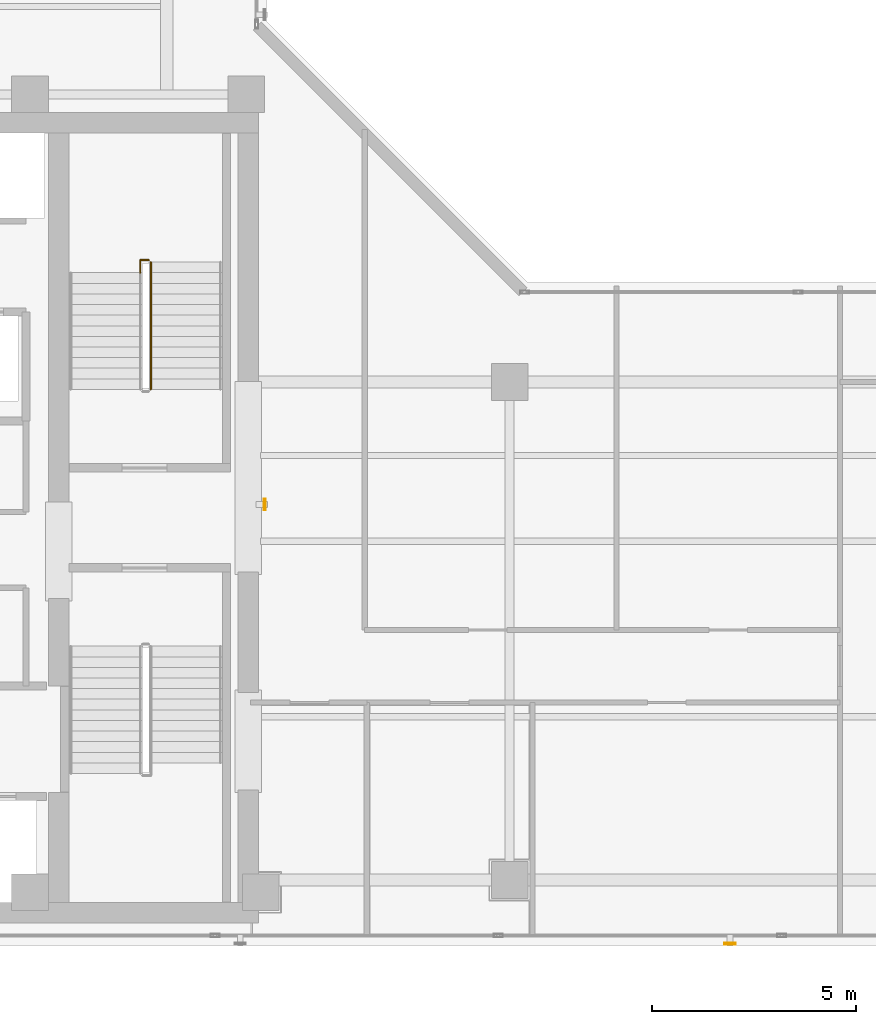
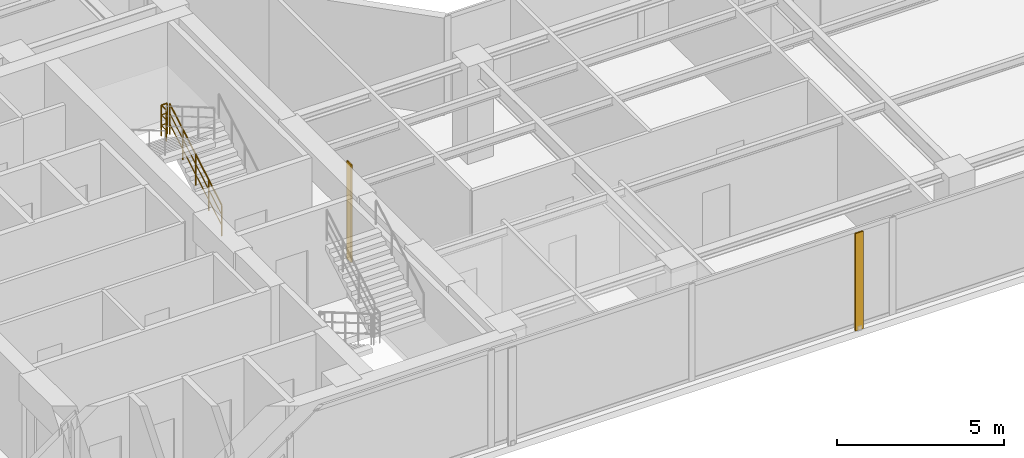
# One storey, part 20 of 23: 2 railings, 2 shading devices.
"""IFC4 building model written with IfcOpenShell, lengths in metres."""

from ifc_helpers import new_model, si_unit, direction, frame, origin, origin_2d, place, context, subcontext, project, spatial, hollow_rectangle, circle, extrude, material, material_profile, profile_set, type_object, element, save


model = new_model("IFC4")

# Units and contexts
model_context = context("Model", 3, precision=1e-05, world=origin(), true_north=direction((0.0, 1.0)))
body_context = subcontext(model_context, "Body", "Model", "MODEL_VIEW")
ifc_project = project(units=[si_unit("LENGTHUNIT", "METRE"), si_unit("AREAUNIT", "SQUARE_METRE"), si_unit("VOLUMEUNIT", "CUBIC_METRE"), si_unit("PLANEANGLEUNIT", "RADIAN"), si_unit("MASSUNIT", "GRAM", prefix="KILO")], contexts=[model_context])

# Site, building, storey
site_placement = place(None, origin())
site = spatial("IfcSite", under=ifc_project, at=site_placement, CompositionType="ELEMENT")
building_placement = place(site_placement, origin())
building = spatial("IfcBuilding", under=site, at=building_placement, Name="Kolvaren Waterfront Exchange", CompositionType="ELEMENT")
storey_placement = place(building_placement, frame((0.0, 0.0, 319.800048828125)))
storey = spatial("IfcBuildingStorey", under=building, at=storey_placement, Name="L82", CompositionType="ELEMENT", Elevation=319.800048828125)

# Shading devices
ifc_material_1 = material(Name="Anodised bronze aluminium 6063-T6", Category="aluminium")
ifc_material_profile = material_profile(ifc_material_1, hollow_rectangle(XDim=0.054931640625, YDim=0.280029296875, WallThickness=0.00439453125, at=origin_2d()), Name="BRZ-FIN-280x55x4.5")
ifc_profile_set = profile_set([ifc_material_profile], Name="Anodised bronze aluminium 6063-T6")
shading_device_type = type_object("IfcShadingDeviceType", Name="ARC-FIN-280", PredefinedType="USERDEFINED", material=ifc_profile_set)
for number, where, z_axis, x_axis, name in (
    (1, (32.60009765625, 3.639892578125, 0.0), (0.0, 0.0, 1.0), (0.0, -1.0, 0.0), "L82 anodised bronze solar shading fin FIN-L82-S3"),
    (2, (21.2021484375, 14.39990234375, 0.0), (0.0, 0.0, 1.0), (1.0, 0.0, 0.0), "L82 anodised bronze solar shading fin FIN-L82-E1"),
):
    element("IfcShadingDevice", number, at=place(storey_placement, frame(where, z_axis=z_axis, x_axis=x_axis)), inside=storey, type_object=shading_device_type, Name=name, ObjectType="SOLAR FIN", PredefinedType="USERDEFINED", context=body_context, shape_type="SweptSolid", body=[
        extrude(hollow_rectangle(XDim=0.054931640625, YDim=0.280029296875, WallThickness=0.00439453125, at=origin_2d()), origin(), (0.0, 0.0, 1.0), 3.56005859375),
    ])

# Railings
ifc_material_2 = material(Name="Stainless steel 316", Category="steel")
railing_type = type_object("IfcRailingType", Name="ARC-GUARD-STAIR", PredefinedType="GUARDRAIL", material=ifc_material_2)
railing_1_placement = place(storey_placement, frame((18.409912109375, 17.219970703125, 0.15185546875)))
element("IfcRailing", 3, at=railing_1_placement, inside=storey, type_object=railing_type, Name="L82 ST2 stair guard 1", PredefinedType="GUARDRAIL", context=body_context, shape_type="SweptSolid", body=[
    extrude(circle(Radius=0.02392578125, at=origin_2d()), frame((0.0, 0.0, 1.1259765625), z_axis=(0.0, 0.86330811405, 0.504677223793), x_axis=(-1.0, 0.0, 0.0)), (0.0, 0.0, 1.0), 3.6142578125),
    extrude(circle(Radius=0.01611328125, at=origin_2d()), frame((0.0, 0.0, 0.390869140625), z_axis=(0.0, 0.86330811405, 0.504677223793), x_axis=(-1.0, 0.0, 0.0)), (0.0, 0.0, 1.0), 3.6142578125),
    extrude(circle(Radius=0.01611328125, at=origin_2d()), frame((0.0, 0.0, 0.7705078125), z_axis=(0.0, 0.86330811405, 0.504677223793), x_axis=(-1.0, 0.0, 0.0)), (0.0, 0.0, 1.0), 3.6142578125),
    extrude(circle(Radius=0.02099609375, at=origin_2d()), origin(), (0.0, 0.0, 1.0), 1.101806640625),
    extrude(circle(Radius=0.02099609375, at=origin_2d()), frame((0.0, 0.780029296875, 0.4560546875)), (0.0, 0.0, 1.0), 1.101806640625),
    extrude(circle(Radius=0.02099609375, at=origin_2d()), frame((0.0, 1.56005859375, 0.912109375)), (0.0, 0.0, 1.0), 1.101806640625),
    extrude(circle(Radius=0.02099609375, at=origin_2d()), frame((0.0, 2.340087890625, 1.367919921875)), (0.0, 0.0, 1.0), 1.101806640625),
    extrude(circle(Radius=0.02099609375, at=origin_2d()), frame((0.0, 3.1201171875, 1.823974609375)), (0.0, 0.0, 1.0), 1.101806640625),
])
railing_2_placement = place(storey_placement, frame((18.360107421875, 20.389892578125, 1.975830078125)))
element("IfcRailing", 4, at=railing_2_placement, inside=storey, type_object=railing_type, Name="L82 ST2 stair guard 2", PredefinedType="GUARDRAIL", context=body_context, shape_type="SweptSolid", body=[
    extrude(circle(Radius=0.02392578125, at=origin_2d()), frame((0.0, 0.0, 1.1259765625), z_axis=(-1.0, 0.0, 0.0), x_axis=(0.0, -1.0, 0.0)), (0.0, 0.0, 1.0), 0.210205078125),
    extrude(circle(Radius=0.01611328125, at=origin_2d()), frame((0.0, 0.0, 0.390869140625), z_axis=(-1.0, 0.0, 0.0), x_axis=(0.0, -1.0, 0.0)), (0.0, 0.0, 1.0), 0.210205078125),
    extrude(circle(Radius=0.01611328125, at=origin_2d()), frame((0.0, 0.0, 0.7705078125), z_axis=(-1.0, 0.0, 0.0), x_axis=(0.0, -1.0, 0.0)), (0.0, 0.0, 1.0), 0.210205078125),
    extrude(circle(Radius=0.02392578125, at=origin_2d()), frame((-0.210205078125, 0.0, 1.1259765625), z_axis=(0.0, -1.0, 0.0), x_axis=(1.0, 0.0, 0.0)), (0.0, 0.0, 1.0), 0.309814453125),
    extrude(circle(Radius=0.01611328125, at=origin_2d()), frame((-0.210205078125, 0.0, 0.390869140625), z_axis=(0.0, -1.0, 0.0), x_axis=(1.0, 0.0, 0.0)), (0.0, 0.0, 1.0), 0.309814453125),
    extrude(circle(Radius=0.01611328125, at=origin_2d()), frame((-0.210205078125, 0.0, 0.7705078125), z_axis=(0.0, -1.0, 0.0), x_axis=(1.0, 0.0, 0.0)), (0.0, 0.0, 1.0), 0.309814453125),
    extrude(circle(Radius=0.02099609375, at=origin_2d()), origin(), (0.0, 0.0, 1.0), 1.101806640625),
    extrude(circle(Radius=0.02099609375, at=origin_2d()), frame((-0.210205078125, 0.0, 0.0)), (0.0, 0.0, 1.0), 1.101806640625),
    extrude(circle(Radius=0.02099609375, at=origin_2d()), frame((-0.210205078125, -0.309814453125, 0.0)), (0.0, 0.0, 1.0), 1.101806640625),
])

save(model, "model.ifc")
